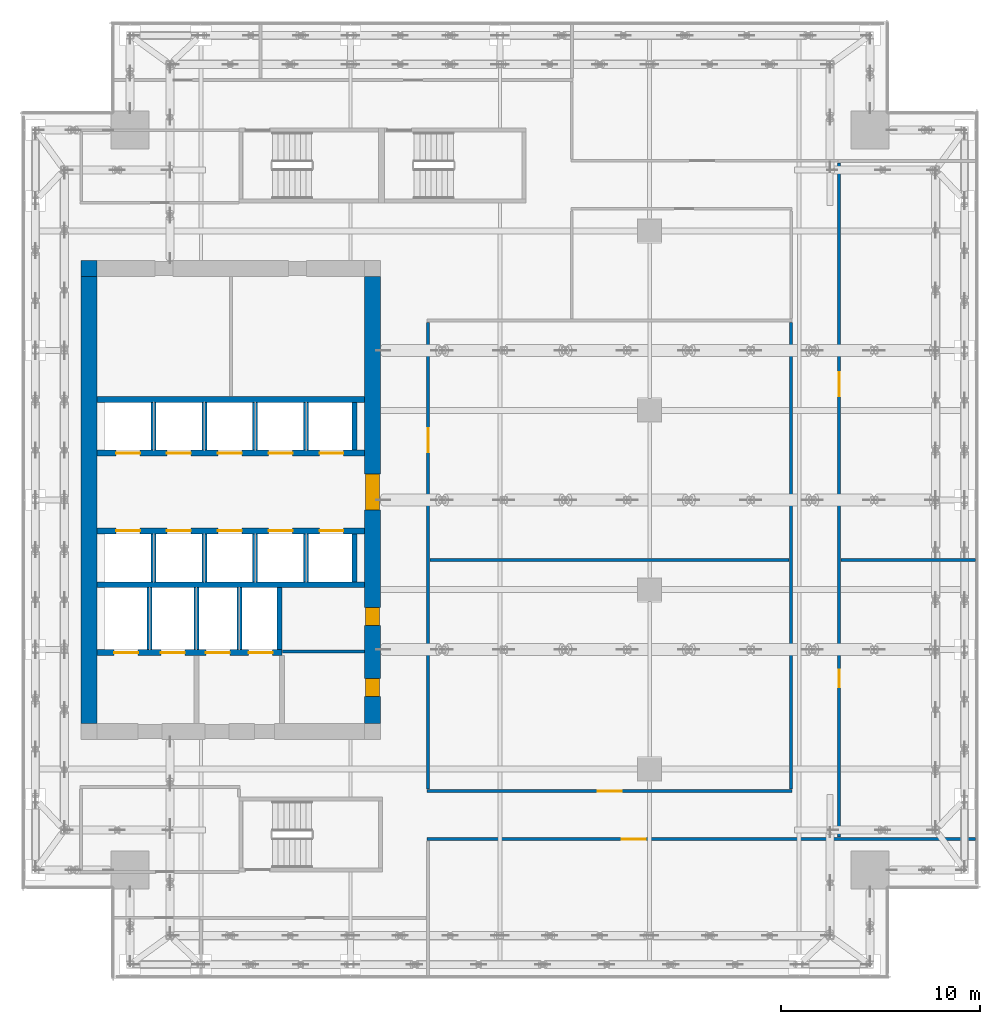
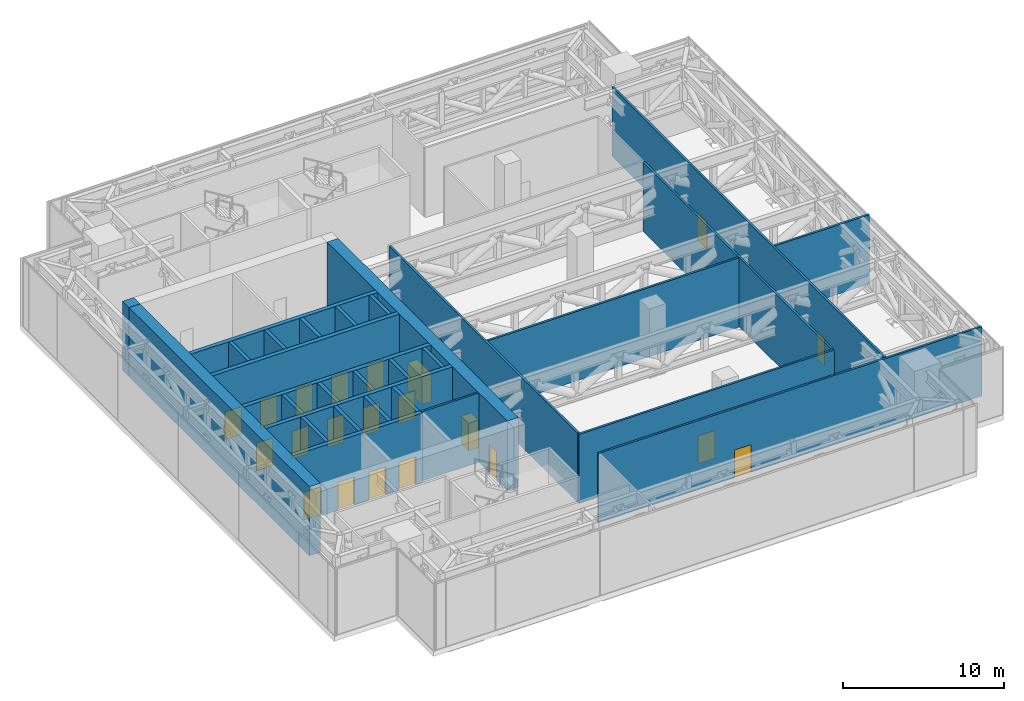
# One storey, part 29 of 36: 30 walls, 22 doors, 22 openings.
"""IFC4 building model written with IfcOpenShell, lengths in metres."""

from ifc_helpers import new_model, si_unit, direction, frame, frame_2d, origin, place, context, subcontext, project, spatial, rectangle, extrude, source, transform, mapped, material, layer, layer_set, type_object, element, fill, save


model = new_model("IFC4")

# Units and contexts
model_context = context("Model", 3, precision=1e-05, world=origin(), true_north=direction((0.0, 1.0)))
body_context = subcontext(model_context, "Body", "Model", "MODEL_VIEW")
ifc_project = project(units=[si_unit("LENGTHUNIT", "METRE"), si_unit("AREAUNIT", "SQUARE_METRE"), si_unit("VOLUMEUNIT", "CUBIC_METRE"), si_unit("PLANEANGLEUNIT", "RADIAN"), si_unit("MASSUNIT", "GRAM", prefix="KILO")], contexts=[model_context])

# Site, building, storey
site_placement = place(None, origin())
site = spatial("IfcSite", under=ifc_project, at=site_placement, CompositionType="ELEMENT")
building_placement = place(site_placement, origin())
building = spatial("IfcBuilding", under=site, at=building_placement, Name="Khomas Fold Tower", CompositionType="ELEMENT")
storey_placement = place(building_placement, frame((0.0, 0.0, 216.699951171875)))
storey = spatial("IfcBuildingStorey", under=building, at=storey_placement, Name="L48", CompositionType="ELEMENT", Elevation=216.699951171875)

# Wall
ifc_material_1 = material(Name="Concrete C60/75", Category="concrete")
ifc_layer_1 = layer(ifc_material_1, 0.800048828125)
ifc_layer_set_1 = layer_set([ifc_layer_1], Name="Concrete C60/75")
wall_type_1 = type_object("IfcWallType", Name="Core corner wall 800", PredefinedType="SHEAR", material=ifc_layer_set_1)
shared_shape_1 = source(origin(), body_context, "Body", "SweptSolid", [
    extrude(rectangle(XDim=0.800048828125, YDim=0.800048828125, at=frame_2d((0.39990234375, 0.0))), origin(), (0.0, 0.0, 1.0), 5.25),
])
wall_1_placement = place(storey_placement, frame((6.0, 38.60009765625, 0.0), z_axis=(0.0, 0.0, 1.0), x_axis=(1.0, 0.0, 0.0)))
element("IfcWall", 1, at=wall_1_placement, inside=storey, type_object=wall_type_1, Name="Core wall CW-U-NW-L35", PredefinedType="SHEAR", context=body_context, shape_type="MappedRepresentation", body=[
    mapped(shared_shape_1, transform((0.0, 0.0, 0.0))),
])

# Wall, openings, doors
ifc_material_2 = material(Name="Concrete C60/75", Category="concrete")
ifc_layer_2 = layer(ifc_material_2, 0.800048828125)
ifc_layer_set_2 = layer_set([ifc_layer_2], Name="Concrete C60/75")
wall_type_2 = type_object("IfcWallType", Name="Core wall 800", PredefinedType="SHEAR", material=ifc_layer_set_2)
shared_shape_2 = source(origin(), body_context, "Body", "SweptSolid", [
    extrude(rectangle(XDim=22.39990234375, YDim=0.800048828125, at=frame_2d((11.199951171875, 0.0))), origin(), (0.0, 0.0, 1.0), 5.25),
])
wall_2_placement = place(storey_placement, frame((20.60009765625, 15.800048828125, 0.0), z_axis=(0.0, 0.0, 1.0), x_axis=(0.0, 1.0, 0.0)))
wall_2 = element("IfcWall", 2, at=wall_2_placement, inside=storey, type_object=wall_type_2, Name="Core wall CW-U-E-L35", PredefinedType="SHEAR", context=body_context, shape_type="MappedRepresentation", body=[
    mapped(shared_shape_2, transform((0.0, 0.0, 0.0))),
])
shared_shape_3 = source(origin(), body_context, "Body", "SweptSolid", [
    extrude(rectangle(XDim=1.800048828125, YDim=2.10009765625, at=frame_2d((0.89990234375, 1.050048828125))), frame((0.0, 0.409912109375, 0.0), z_axis=(0.0, -1.0, 0.0), x_axis=(1.0, 0.0, 0.0)), (0.0, 0.0, 1.0), 0.820068359375),
])
opening_1_placement = place(wall_2_placement, frame((10.699951171875, 0.0, 0.0)))
opening_1 = element("IfcOpeningElement", 3, at=opening_1_placement, cuts=wall_2, Name="Opening 0015", PredefinedType="OPENING", context=body_context, shape_type="MappedRepresentation", body=[
    mapped(shared_shape_3, transform((0.0, 0.0, 0.0))),
])
shared_shape_4 = source(origin(), body_context, "Body", "SweptSolid", [
    extrude(rectangle(XDim=0.89990234375, YDim=2.10009765625, at=frame_2d((0.449951171875, 1.050048828125))), frame((0.0, 0.409912109375, 0.0), z_axis=(0.0, -1.0, 0.0), x_axis=(1.0, 0.0, 0.0)), (0.0, 0.0, 1.0), 0.820068359375),
])
opening_2_placement = place(wall_2_placement, frame((1.35009765625, 0.0, 0.0)))
opening_2 = element("IfcOpeningElement", 4, at=opening_2_placement, cuts=wall_2, Name="Opening 0003", PredefinedType="OPENING", context=body_context, shape_type="MappedRepresentation", body=[
    mapped(shared_shape_4, transform((0.0, 0.0, 0.0))),
])
opening_3_placement = place(wall_2_placement, frame((4.89990234375, 0.0, 0.0)))
opening_3 = element("IfcOpeningElement", 5, at=opening_3_placement, cuts=wall_2, Name="Opening 0003", PredefinedType="OPENING", context=body_context, shape_type="MappedRepresentation", body=[
    mapped(shared_shape_4, transform((0.0, 0.0, 0.0))),
])
ifc_material_3 = material(Name="Steel door leaf", Category="steel")
door_type_1 = type_object("IfcDoorType", Name="Lobby door 1800x2100", OperationType="DOUBLE_DOOR_SINGLE_SWING", PredefinedType="DOOR", material=ifc_material_3)
shared_shape_5 = source(origin(), body_context, "Body", "SweptSolid", [
    extrude(rectangle(XDim=1.800048828125, YDim=2.10009765625, at=frame_2d((0.89990234375, 1.050048828125))), frame((0.0, 0.35009765625, 0.0), z_axis=(0.0, -1.0, 0.0), x_axis=(1.0, 0.0, 0.0)), (0.0, 0.0, 1.0), 0.699951171875),
])
door_1_placement = place(opening_1_placement, origin())
door_1 = element("IfcDoor", 6, at=door_1_placement, inside=storey, type_object=door_type_1, Name="Lobby door", OperationType="DOUBLE_DOOR_SINGLE_SWING", OverallHeight=2.10009765625, OverallWidth=1.800048828125, PredefinedType="DOOR", context=body_context, shape_type="MappedRepresentation", body=[
    mapped(shared_shape_5, transform((0.0, 0.0, 0.0))),
])
fill(opening_1, door_1)
ifc_material_4 = material(Name="Steel door leaf", Category="steel")
door_type_2 = type_object("IfcDoorType", Name="Plant room door 900x2100 right-hand", OperationType="SINGLE_SWING_RIGHT", PredefinedType="DOOR", material=ifc_material_4)
shared_shape_6 = source(origin(), body_context, "Body", "SweptSolid", [
    extrude(rectangle(XDim=0.89990234375, YDim=2.10009765625, at=frame_2d((0.449951171875, 1.050048828125))), frame((0.0, 0.35009765625, 0.0), z_axis=(0.0, -1.0, 0.0), x_axis=(1.0, 0.0, 0.0)), (0.0, 0.0, 1.0), 0.699951171875),
])
door_2_placement = place(opening_2_placement, origin())
door_2 = element("IfcDoor", 7, at=door_2_placement, inside=storey, type_object=door_type_2, Name="Plant room door", OperationType="SINGLE_SWING_RIGHT", OverallHeight=2.10009765625, OverallWidth=0.89990234375, PredefinedType="DOOR", context=body_context, shape_type="MappedRepresentation", body=[
    mapped(shared_shape_6, transform((0.0, 0.0, 0.0))),
])
fill(opening_2, door_2)
door_3_placement = place(opening_3_placement, origin())
door_3 = element("IfcDoor", 8, at=door_3_placement, inside=storey, type_object=door_type_2, Name="Plant room door", OperationType="SINGLE_SWING_RIGHT", OverallHeight=2.10009765625, OverallWidth=0.89990234375, PredefinedType="DOOR", context=body_context, shape_type="MappedRepresentation", body=[
    mapped(shared_shape_6, transform((0.0, 0.0, 0.0))),
])
fill(opening_3, door_3)

# Walls
wall_3_placement = place(storey_placement, frame((6.39990234375, 15.800048828125, 0.0), z_axis=(0.0, 0.0, 1.0), x_axis=(0.0, 1.0, 0.0)))
element("IfcWall", 9, at=wall_3_placement, inside=storey, type_object=wall_type_2, Name="Core wall CW-U-W-L35", PredefinedType="SHEAR", context=body_context, shape_type="MappedRepresentation", body=[
    mapped(shared_shape_2, transform((0.0, 0.0, 0.0))),
])
ifc_material_5 = material(Name="Concrete C50/60", Category="concrete")
ifc_layer_3 = layer(ifc_material_5, 0.300048828125)
ifc_layer_set_3 = layer_set([ifc_layer_3], Name="Concrete C50/60")
wall_type_3 = type_object("IfcWallType", Name="Shaft wall 300", PredefinedType="STANDARD", material=ifc_layer_set_3)
shared_shape_7 = source(origin(), body_context, "Body", "SweptSolid", [
    extrude(rectangle(XDim=13.39990234375, YDim=0.300048828125, at=frame_2d((6.699951171875, 0.0))), origin(), (0.0, 0.0, 1.0), 5.25),
])
for number, where, z_axis, x_axis, name in (
    (10, (6.800048828125, 22.75, 0.0), (0.0, 0.0, 1.0), (1.0, 0.0, 0.0), "Core wall SW-FS-B"),
    (11, (6.800048828125, 32.050048828125, 0.0), (0.0, 0.0, 1.0), (1.0, 0.0, 0.0), "Core wall SW-HRN-B"),
):
    element("IfcWall", number, at=place(storey_placement, frame(where, z_axis=z_axis, x_axis=x_axis)), inside=storey, type_object=wall_type_3, Name=name, PredefinedType="STANDARD", context=body_context, shape_type="MappedRepresentation", body=[
        mapped(shared_shape_7, transform((0.0, 0.0, 0.0))),
    ])

# Wall, openings, doors
wall_4_placement = place(storey_placement, frame((6.800048828125, 29.35009765625, 0.0), z_axis=(0.0, 0.0, 1.0), x_axis=(1.0, 0.0, 0.0)))
wall_4 = element("IfcWall", 12, at=wall_4_placement, inside=storey, type_object=wall_type_3, Name="Core wall SW-HRN-F", PredefinedType="STANDARD", context=body_context, shape_type="MappedRepresentation", body=[
    mapped(shared_shape_7, transform((0.0, 0.0, 0.0))),
])
shared_shape_8 = source(origin(), body_context, "Body", "SweptSolid", [
    extrude(rectangle(XDim=1.199951171875, YDim=2.10009765625, at=frame_2d((0.60009765625, 1.050048828125))), frame((0.0, 0.159912109375, 0.0), z_axis=(0.0, -1.0, 0.0), x_axis=(1.0, 0.0, 0.0)), (0.0, 0.0, 1.0), 0.320068359375),
])
opening_4_placement = place(wall_4_placement, frame((0.949951171875, 0.0, 0.0)))
opening_4 = element("IfcOpeningElement", 13, at=opening_4_placement, cuts=wall_4, Name="Opening LD-HR4", PredefinedType="OPENING", context=body_context, shape_type="MappedRepresentation", body=[
    mapped(shared_shape_8, transform((0.0, 0.0, 0.0))),
])
opening_5_placement = place(wall_4_placement, frame((3.5, 0.0, 0.0)))
opening_5 = element("IfcOpeningElement", 14, at=opening_5_placement, cuts=wall_4, Name="Opening LD-HR5", PredefinedType="OPENING", context=body_context, shape_type="MappedRepresentation", body=[
    mapped(shared_shape_8, transform((0.0, 0.0, 0.0))),
])
opening_6_placement = place(wall_4_placement, frame((6.050048828125, 0.0, 0.0)))
opening_6 = element("IfcOpeningElement", 15, at=opening_6_placement, cuts=wall_4, Name="Opening LD-HR6", PredefinedType="OPENING", context=body_context, shape_type="MappedRepresentation", body=[
    mapped(shared_shape_8, transform((0.0, 0.0, 0.0))),
])
opening_7_placement = place(wall_4_placement, frame((8.60009765625, 0.0, 0.0)))
opening_7 = element("IfcOpeningElement", 16, at=opening_7_placement, cuts=wall_4, Name="Opening LD-MR3", PredefinedType="OPENING", context=body_context, shape_type="MappedRepresentation", body=[
    mapped(shared_shape_8, transform((0.0, 0.0, 0.0))),
])
opening_8_placement = place(wall_4_placement, frame((11.14990234375, 0.0, 0.0)))
opening_8 = element("IfcOpeningElement", 17, at=opening_8_placement, cuts=wall_4, Name="Opening LD-MR4", PredefinedType="OPENING", context=body_context, shape_type="MappedRepresentation", body=[
    mapped(shared_shape_8, transform((0.0, 0.0, 0.0))),
])
ifc_material_6 = material(Name="Steel door leaf", Category="steel")
door_type_3 = type_object("IfcDoorType", Name="Landing door 1200x2100", OperationType="DOUBLE_DOOR_SLIDING", PredefinedType="DOOR", material=ifc_material_6)
shared_shape_9 = source(origin(), body_context, "Body", "SweptSolid", [
    extrude(rectangle(XDim=1.199951171875, YDim=2.10009765625, at=frame_2d((0.60009765625, 1.050048828125))), frame((0.0, 0.02490234375, 0.0), z_axis=(0.0, -1.0, 0.0), x_axis=(1.0, 0.0, 0.0)), (0.0, 0.0, 1.0), 0.050048828125),
])
door_4_placement = place(opening_4_placement, origin())
door_4 = element("IfcDoor", 18, at=door_4_placement, inside=storey, type_object=door_type_3, Name="Lift landing door", OperationType="DOUBLE_DOOR_SLIDING", OverallHeight=2.10009765625, OverallWidth=1.199951171875, PredefinedType="DOOR", context=body_context, shape_type="MappedRepresentation", body=[
    mapped(shared_shape_9, transform((0.0, 0.0, 0.0))),
])
fill(opening_4, door_4)
door_5_placement = place(opening_5_placement, origin())
door_5 = element("IfcDoor", 19, at=door_5_placement, inside=storey, type_object=door_type_3, Name="Lift landing door", OperationType="DOUBLE_DOOR_SLIDING", OverallHeight=2.10009765625, OverallWidth=1.199951171875, PredefinedType="DOOR", context=body_context, shape_type="MappedRepresentation", body=[
    mapped(shared_shape_9, transform((0.0, 0.0, 0.0))),
])
fill(opening_5, door_5)
door_6_placement = place(opening_6_placement, origin())
door_6 = element("IfcDoor", 20, at=door_6_placement, inside=storey, type_object=door_type_3, Name="Lift landing door", OperationType="DOUBLE_DOOR_SLIDING", OverallHeight=2.10009765625, OverallWidth=1.199951171875, PredefinedType="DOOR", context=body_context, shape_type="MappedRepresentation", body=[
    mapped(shared_shape_9, transform((0.0, 0.0, 0.0))),
])
fill(opening_6, door_6)
door_7_placement = place(opening_7_placement, origin())
door_7 = element("IfcDoor", 21, at=door_7_placement, inside=storey, type_object=door_type_3, Name="Lift landing door", OperationType="DOUBLE_DOOR_SLIDING", OverallHeight=2.10009765625, OverallWidth=1.199951171875, PredefinedType="DOOR", context=body_context, shape_type="MappedRepresentation", body=[
    mapped(shared_shape_9, transform((0.0, 0.0, 0.0))),
])
fill(opening_7, door_7)
door_8_placement = place(opening_8_placement, origin())
door_8 = element("IfcDoor", 22, at=door_8_placement, inside=storey, type_object=door_type_3, Name="Lift landing door", OperationType="DOUBLE_DOOR_SLIDING", OverallHeight=2.10009765625, OverallWidth=1.199951171875, PredefinedType="DOOR", context=body_context, shape_type="MappedRepresentation", body=[
    mapped(shared_shape_9, transform((0.0, 0.0, 0.0))),
])
fill(opening_8, door_8)

wall_5_placement = place(storey_placement, frame((6.800048828125, 25.449951171875, 0.0), z_axis=(0.0, 0.0, 1.0), x_axis=(1.0, 0.0, 0.0)))
wall_5 = element("IfcWall", 23, at=wall_5_placement, inside=storey, type_object=wall_type_3, Name="Core wall SW-HRS-F", PredefinedType="STANDARD", context=body_context, shape_type="MappedRepresentation", body=[
    mapped(shared_shape_7, transform((0.0, 0.0, 0.0))),
])
opening_9_placement = place(wall_5_placement, frame((0.949951171875, 0.0, 0.0)))
opening_9 = element("IfcOpeningElement", 24, at=opening_9_placement, cuts=wall_5, Name="Opening LD-HR1", PredefinedType="OPENING", context=body_context, shape_type="MappedRepresentation", body=[
    mapped(shared_shape_8, transform((0.0, 0.0, 0.0))),
])
opening_10_placement = place(wall_5_placement, frame((3.5, 0.0, 0.0)))
opening_10 = element("IfcOpeningElement", 25, at=opening_10_placement, cuts=wall_5, Name="Opening LD-HR2", PredefinedType="OPENING", context=body_context, shape_type="MappedRepresentation", body=[
    mapped(shared_shape_8, transform((0.0, 0.0, 0.0))),
])
opening_11_placement = place(wall_5_placement, frame((6.050048828125, 0.0, 0.0)))
opening_11 = element("IfcOpeningElement", 26, at=opening_11_placement, cuts=wall_5, Name="Opening LD-HR3", PredefinedType="OPENING", context=body_context, shape_type="MappedRepresentation", body=[
    mapped(shared_shape_8, transform((0.0, 0.0, 0.0))),
])
opening_12_placement = place(wall_5_placement, frame((8.60009765625, 0.0, 0.0)))
opening_12 = element("IfcOpeningElement", 27, at=opening_12_placement, cuts=wall_5, Name="Opening LD-MR1", PredefinedType="OPENING", context=body_context, shape_type="MappedRepresentation", body=[
    mapped(shared_shape_8, transform((0.0, 0.0, 0.0))),
])
opening_13_placement = place(wall_5_placement, frame((11.14990234375, 0.0, 0.0)))
opening_13 = element("IfcOpeningElement", 28, at=opening_13_placement, cuts=wall_5, Name="Opening LD-MR2", PredefinedType="OPENING", context=body_context, shape_type="MappedRepresentation", body=[
    mapped(shared_shape_8, transform((0.0, 0.0, 0.0))),
])
door_9_placement = place(opening_9_placement, origin())
door_9 = element("IfcDoor", 29, at=door_9_placement, inside=storey, type_object=door_type_3, Name="Lift landing door", OperationType="DOUBLE_DOOR_SLIDING", OverallHeight=2.10009765625, OverallWidth=1.199951171875, PredefinedType="DOOR", context=body_context, shape_type="MappedRepresentation", body=[
    mapped(shared_shape_9, transform((0.0, 0.0, 0.0))),
])
fill(opening_9, door_9)
door_10_placement = place(opening_10_placement, origin())
door_10 = element("IfcDoor", 30, at=door_10_placement, inside=storey, type_object=door_type_3, Name="Lift landing door", OperationType="DOUBLE_DOOR_SLIDING", OverallHeight=2.10009765625, OverallWidth=1.199951171875, PredefinedType="DOOR", context=body_context, shape_type="MappedRepresentation", body=[
    mapped(shared_shape_9, transform((0.0, 0.0, 0.0))),
])
fill(opening_10, door_10)
door_11_placement = place(opening_11_placement, origin())
door_11 = element("IfcDoor", 31, at=door_11_placement, inside=storey, type_object=door_type_3, Name="Lift landing door", OperationType="DOUBLE_DOOR_SLIDING", OverallHeight=2.10009765625, OverallWidth=1.199951171875, PredefinedType="DOOR", context=body_context, shape_type="MappedRepresentation", body=[
    mapped(shared_shape_9, transform((0.0, 0.0, 0.0))),
])
fill(opening_11, door_11)
door_12_placement = place(opening_12_placement, origin())
door_12 = element("IfcDoor", 32, at=door_12_placement, inside=storey, type_object=door_type_3, Name="Lift landing door", OperationType="DOUBLE_DOOR_SLIDING", OverallHeight=2.10009765625, OverallWidth=1.199951171875, PredefinedType="DOOR", context=body_context, shape_type="MappedRepresentation", body=[
    mapped(shared_shape_9, transform((0.0, 0.0, 0.0))),
])
fill(opening_12, door_12)
door_13_placement = place(opening_13_placement, origin())
door_13 = element("IfcDoor", 33, at=door_13_placement, inside=storey, type_object=door_type_3, Name="Lift landing door", OperationType="DOUBLE_DOOR_SLIDING", OverallHeight=2.10009765625, OverallWidth=1.199951171875, PredefinedType="DOOR", context=body_context, shape_type="MappedRepresentation", body=[
    mapped(shared_shape_9, transform((0.0, 0.0, 0.0))),
])
fill(opening_13, door_13)

shared_shape_10 = source(origin(), body_context, "Body", "SweptSolid", [
    extrude(rectangle(XDim=9.27490234375, YDim=0.300048828125, at=frame_2d((4.637451171875, 0.0))), origin(), (0.0, 0.0, 1.0), 5.25),
])
wall_6_placement = place(storey_placement, frame((6.800048828125, 19.35009765625, 0.0), z_axis=(0.0, 0.0, 1.0), x_axis=(1.0, 0.0, 0.0)))
wall_6 = element("IfcWall", 34, at=wall_6_placement, inside=storey, type_object=wall_type_3, Name="Core wall SW-FS-F", PredefinedType="STANDARD", context=body_context, shape_type="MappedRepresentation", body=[
    mapped(shared_shape_10, transform((0.0, 0.0, 0.0))),
])
opening_14_placement = place(wall_6_placement, frame((0.85009765625, 0.0, 0.0)))
opening_14 = element("IfcOpeningElement", 35, at=opening_14_placement, cuts=wall_6, Name="Opening LD-SV1", PredefinedType="OPENING", context=body_context, shape_type="MappedRepresentation", body=[
    mapped(shared_shape_8, transform((0.0, 0.0, 0.0))),
])
opening_15_placement = place(wall_6_placement, frame((3.199951171875, 0.0, 0.0)))
opening_15 = element("IfcOpeningElement", 36, at=opening_15_placement, cuts=wall_6, Name="Opening LD-SV2", PredefinedType="OPENING", context=body_context, shape_type="MappedRepresentation", body=[
    mapped(shared_shape_8, transform((0.0, 0.0, 0.0))),
])
opening_16_placement = place(wall_6_placement, frame((5.449951171875, 0.0, 0.0)))
opening_16 = element("IfcOpeningElement", 37, at=opening_16_placement, cuts=wall_6, Name="Opening LD-FF1", PredefinedType="OPENING", context=body_context, shape_type="MappedRepresentation", body=[
    mapped(shared_shape_8, transform((0.0, 0.0, 0.0))),
])
opening_17_placement = place(wall_6_placement, frame((7.60009765625, 0.0, 0.0)))
opening_17 = element("IfcOpeningElement", 38, at=opening_17_placement, cuts=wall_6, Name="Opening LD-FF2", PredefinedType="OPENING", context=body_context, shape_type="MappedRepresentation", body=[
    mapped(shared_shape_8, transform((0.0, 0.0, 0.0))),
])
door_14_placement = place(opening_14_placement, origin())
door_14 = element("IfcDoor", 39, at=door_14_placement, inside=storey, type_object=door_type_3, Name="Lift landing door", OperationType="DOUBLE_DOOR_SLIDING", OverallHeight=2.10009765625, OverallWidth=1.199951171875, PredefinedType="DOOR", context=body_context, shape_type="MappedRepresentation", body=[
    mapped(shared_shape_9, transform((0.0, 0.0, 0.0))),
])
fill(opening_14, door_14)
door_15_placement = place(opening_15_placement, origin())
door_15 = element("IfcDoor", 40, at=door_15_placement, inside=storey, type_object=door_type_3, Name="Lift landing door", OperationType="DOUBLE_DOOR_SLIDING", OverallHeight=2.10009765625, OverallWidth=1.199951171875, PredefinedType="DOOR", context=body_context, shape_type="MappedRepresentation", body=[
    mapped(shared_shape_9, transform((0.0, 0.0, 0.0))),
])
fill(opening_15, door_15)
door_16_placement = place(opening_16_placement, origin())
door_16 = element("IfcDoor", 41, at=door_16_placement, inside=storey, type_object=door_type_3, Name="Lift landing door", OperationType="DOUBLE_DOOR_SLIDING", OverallHeight=2.10009765625, OverallWidth=1.199951171875, PredefinedType="DOOR", context=body_context, shape_type="MappedRepresentation", body=[
    mapped(shared_shape_9, transform((0.0, 0.0, 0.0))),
])
fill(opening_16, door_16)
door_17_placement = place(opening_17_placement, origin())
door_17 = element("IfcDoor", 42, at=door_17_placement, inside=storey, type_object=door_type_3, Name="Lift landing door", OperationType="DOUBLE_DOOR_SLIDING", OverallHeight=2.10009765625, OverallWidth=1.199951171875, PredefinedType="DOOR", context=body_context, shape_type="MappedRepresentation", body=[
    mapped(shared_shape_9, transform((0.0, 0.0, 0.0))),
])
fill(opening_17, door_17)

# Walls
ifc_material_7 = material(Name="Concrete C50/60", Category="concrete")
ifc_layer_4 = layer(ifc_material_7, 0.25)
ifc_layer_set_4 = layer_set([ifc_layer_4], Name="Concrete C50/60")
wall_type_4 = type_object("IfcWallType", Name="Shaft wall 250", PredefinedType="STANDARD", material=ifc_layer_set_4)
shared_shape_11 = source(origin(), body_context, "Body", "SweptSolid", [
    extrude(rectangle(XDim=3.10009765625, YDim=0.25, at=frame_2d((1.550048828125, 0.0))), origin(), (0.0, 0.0, 1.0), 5.25),
])
for number, where, z_axis, x_axis, name in (
    (43, (9.425048828125, 19.5, 0.0), (0.0, 0.0, 1.0), (0.0, 1.0, 0.0), "Core wall SW-FS-P1"),
    (44, (11.77490234375, 19.5, 0.0), (0.0, 0.0, 1.0), (0.0, 1.0, 0.0), "Core wall SW-FS-P2"),
    (45, (13.925048828125, 19.5, 0.0), (0.0, 0.0, 1.0), (0.0, 1.0, 0.0), "Core wall SW-FS-P3"),
    (46, (15.949951171875, 19.5, 0.0), (0.0, 0.0, 1.0), (0.0, 1.0, 0.0), "Core wall SW-FS-PE"),
):
    element("IfcWall", number, at=place(storey_placement, frame(where, z_axis=z_axis, x_axis=x_axis)), inside=storey, type_object=wall_type_4, Name=name, PredefinedType="STANDARD", context=body_context, shape_type="MappedRepresentation", body=[
        mapped(shared_shape_11, transform((0.0, 0.0, 0.0))),
    ])
shared_shape_12 = source(origin(), body_context, "Body", "SweptSolid", [
    extrude(rectangle(XDim=2.39990234375, YDim=0.25, at=frame_2d((1.199951171875, 0.0))), origin(), (0.0, 0.0, 1.0), 5.25),
])
for number, where, z_axis, x_axis, name in (
    (47, (17.27490234375, 29.5, 0.0), (0.0, 0.0, 1.0), (0.0, 1.0, 0.0), "Core wall SW-HRN-MR-P1"),
    (48, (19.699951171875, 29.5, 0.0), (0.0, 0.0, 1.0), (0.0, 1.0, 0.0), "Core wall SW-HRN-MR-PE"),
    (49, (9.625, 29.5, 0.0), (0.0, 0.0, 1.0), (0.0, 1.0, 0.0), "Core wall SW-HRN-P1"),
    (50, (12.175048828125, 29.5, 0.0), (0.0, 0.0, 1.0), (0.0, 1.0, 0.0), "Core wall SW-HRN-P2"),
    (51, (14.72509765625, 29.5, 0.0), (0.0, 0.0, 1.0), (0.0, 1.0, 0.0), "Core wall SW-HRN-PE"),
):
    element("IfcWall", number, at=place(storey_placement, frame(where, z_axis=z_axis, x_axis=x_axis)), inside=storey, type_object=wall_type_4, Name=name, PredefinedType="STANDARD", context=body_context, shape_type="MappedRepresentation", body=[
        mapped(shared_shape_12, transform((0.0, 0.0, 0.0))),
    ])
shared_shape_13 = source(origin(), body_context, "Body", "SweptSolid", [
    extrude(rectangle(XDim=2.400146484375, YDim=0.25, at=frame_2d((1.2001953125, 0.0))), origin(), (0.0, 0.0, 1.0), 5.25),
])
for number, where, z_axis, x_axis, name in (
    (52, (17.27490234375, 22.89990234375, 0.0), (0.0, 0.0, 1.0), (0.0, 1.0, 0.0), "Core wall SW-HRS-MR-P1"),
    (53, (19.699951171875, 22.89990234375, 0.0), (0.0, 0.0, 1.0), (0.0, 1.0, 0.0), "Core wall SW-HRS-MR-PE"),
    (54, (9.625, 22.89990234375, 0.0), (0.0, 0.0, 1.0), (0.0, 1.0, 0.0), "Core wall SW-HRS-P1"),
    (55, (12.175048828125, 22.89990234375, 0.0), (0.0, 0.0, 1.0), (0.0, 1.0, 0.0), "Core wall SW-HRS-P2"),
    (56, (14.72509765625, 22.89990234375, 0.0), (0.0, 0.0, 1.0), (0.0, 1.0, 0.0), "Core wall SW-HRS-PE"),
):
    element("IfcWall", number, at=place(storey_placement, frame(where, z_axis=z_axis, x_axis=x_axis)), inside=storey, type_object=wall_type_4, Name=name, PredefinedType="STANDARD", context=body_context, shape_type="MappedRepresentation", body=[
        mapped(shared_shape_13, transform((0.0, 0.0, 0.0))),
    ])
ifc_material_8 = material(Name="Plasterboard fire partition")
ifc_layer_5 = layer(ifc_material_8, 0.14990234375)
ifc_layer_set_5 = layer_set([ifc_layer_5], Name="Plasterboard fire partition")
wall_type_5 = type_object("IfcWallType", Name="Plant room wall PW3 150", PredefinedType="PARTITIONING", material=ifc_layer_set_5)
shared_shape_14 = source(origin(), body_context, "Body", "SweptSolid", [
    extrude(rectangle(XDim=6.75, YDim=0.14990234375, at=frame_2d((3.375, 0.0))), origin(), (0.0, 0.0, 1.0), 5.25),
])
wall_7_placement = place(storey_placement, frame((44.10009765625, 24.0, 0.0), z_axis=(0.0, 0.0, 1.0), x_axis=(1.0, 0.0, 0.0)))
element("IfcWall", 57, at=wall_7_placement, inside=storey, type_object=wall_type_5, Name="Plant room wall", PredefinedType="PARTITIONING", context=body_context, shape_type="MappedRepresentation", body=[
    mapped(shared_shape_14, transform((0.0, 0.0, 0.0))),
])

# Wall, opening, door
shared_shape_15 = source(origin(), body_context, "Body", "SweptSolid", [
    extrude(rectangle(XDim=27.5, YDim=0.14990234375, at=frame_2d((13.75, 0.0))), origin(), (0.0, 0.0, 1.0), 5.25),
])
wall_8_placement = place(storey_placement, frame((23.35009765625, 10.0, 0.0), z_axis=(0.0, 0.0, 1.0), x_axis=(1.0, 0.0, 0.0)))
wall_8 = element("IfcWall", 58, at=wall_8_placement, inside=storey, type_object=wall_type_5, Name="Plant room wall", PredefinedType="PARTITIONING", context=body_context, shape_type="MappedRepresentation", body=[
    mapped(shared_shape_15, transform((0.0, 0.0, 0.0))),
])
shared_shape_16 = source(origin(), body_context, "Body", "SweptSolid", [
    extrude(rectangle(XDim=1.199951171875, YDim=2.10009765625, at=frame_2d((0.60009765625, 1.050048828125))), frame((0.0, 0.0849609375, 0.0), z_axis=(0.0, -1.0, 0.0), x_axis=(1.0, 0.0, 0.0)), (0.0, 0.0, 1.0), 0.169921875),
])
opening_18_placement = place(wall_8_placement, frame((9.75, 0.0, 0.0)))
opening_18 = element("IfcOpeningElement", 59, at=opening_18_placement, cuts=wall_8, Name="Opening 0011", PredefinedType="OPENING", context=body_context, shape_type="MappedRepresentation", body=[
    mapped(shared_shape_16, transform((0.0, 0.0, 0.0))),
])
ifc_material_9 = material(Name="Steel door leaf", Category="steel")
door_type_4 = type_object("IfcDoorType", Name="Plant room door 1200x2100 right-hand", OperationType="SINGLE_SWING_RIGHT", PredefinedType="DOOR", material=ifc_material_9)
door_18_placement = place(opening_18_placement, origin())
door_18 = element("IfcDoor", 60, at=door_18_placement, inside=storey, type_object=door_type_4, Name="Plant room door", OperationType="SINGLE_SWING_RIGHT", OverallHeight=2.10009765625, OverallWidth=1.199951171875, PredefinedType="DOOR", context=body_context, shape_type="MappedRepresentation", body=[
    mapped(shared_shape_9, transform((0.0, 0.0, 0.0))),
])
fill(opening_18, door_18)

# Wall, openings, doors
shared_shape_17 = source(origin(), body_context, "Body", "SweptSolid", [
    extrude(rectangle(XDim=33.7998046875, YDim=0.14990234375, at=frame_2d((16.89990234375, 0.0))), origin(), (0.0, 0.0, 1.0), 5.25),
])
wall_9_placement = place(storey_placement, frame((44.0, 10.10009765625, 0.0), z_axis=(0.0, 0.0, 1.0), x_axis=(0.0, 1.0, 0.0)))
wall_9 = element("IfcWall", 61, at=wall_9_placement, inside=storey, type_object=wall_type_5, Name="Plant room wall", PredefinedType="PARTITIONING", context=body_context, shape_type="MappedRepresentation", body=[
    mapped(shared_shape_17, transform((0.0, 0.0, 0.0))),
])
shared_shape_18 = source(origin(), body_context, "Body", "SweptSolid", [
    extrude(rectangle(XDim=0.89990234375, YDim=2.10009765625, at=frame_2d((0.449951171875, 1.050048828125))), frame((0.0, 0.0849609375, 0.0), z_axis=(0.0, -1.0, 0.0), x_axis=(1.0, 0.0, 0.0)), (0.0, 0.0, 1.0), 0.169921875),
])
opening_19_placement = place(wall_9_placement, frame((7.5, 0.0, 0.0)))
opening_19 = element("IfcOpeningElement", 62, at=opening_19_placement, cuts=wall_9, Name="Opening 0002", PredefinedType="OPENING", context=body_context, shape_type="MappedRepresentation", body=[
    mapped(shared_shape_18, transform((0.0, 0.0, 0.0))),
])
opening_20_placement = place(wall_9_placement, frame((22.10009765625, 0.0, 0.0)))
opening_20 = element("IfcOpeningElement", 63, at=opening_20_placement, cuts=wall_9, Name="Opening 0011", PredefinedType="OPENING", context=body_context, shape_type="MappedRepresentation", body=[
    mapped(shared_shape_16, transform((0.0, 0.0, 0.0))),
])
ifc_material_10 = material(Name="Steel door leaf", Category="steel")
door_type_5 = type_object("IfcDoorType", Name="Plant room door 900x2100 left-hand", OperationType="SINGLE_SWING_LEFT", PredefinedType="DOOR", material=ifc_material_10)
shared_shape_19 = source(origin(), body_context, "Body", "SweptSolid", [
    extrude(rectangle(XDim=0.89990234375, YDim=2.10009765625, at=frame_2d((0.449951171875, 1.050048828125))), frame((0.0, 0.02490234375, 0.0), z_axis=(0.0, -1.0, 0.0), x_axis=(1.0, 0.0, 0.0)), (0.0, 0.0, 1.0), 0.050048828125),
])
door_19_placement = place(opening_19_placement, origin())
door_19 = element("IfcDoor", 64, at=door_19_placement, inside=storey, type_object=door_type_5, Name="Plant room door", OperationType="SINGLE_SWING_LEFT", OverallHeight=2.10009765625, OverallWidth=0.89990234375, PredefinedType="DOOR", context=body_context, shape_type="MappedRepresentation", body=[
    mapped(shared_shape_19, transform((0.0, 0.0, 0.0))),
])
fill(opening_19, door_19)
door_20_placement = place(opening_20_placement, origin())
door_20 = element("IfcDoor", 65, at=door_20_placement, inside=storey, type_object=door_type_4, Name="Plant room door", OperationType="SINGLE_SWING_RIGHT", OverallHeight=2.10009765625, OverallWidth=1.199951171875, PredefinedType="DOOR", context=body_context, shape_type="MappedRepresentation", body=[
    mapped(shared_shape_9, transform((0.0, 0.0, 0.0))),
])
fill(opening_20, door_20)

# Wall, opening, door
shared_shape_20 = source(origin(), body_context, "Body", "SweptSolid", [
    extrude(rectangle(XDim=18.2998046875, YDim=0.14990234375, at=frame_2d((9.14990234375, 0.0))), origin(), (0.0, 0.0, 1.0), 5.25),
])
wall_10_placement = place(storey_placement, frame((23.35009765625, 12.39990234375, 0.0), z_axis=(0.0, 0.0, 1.0), x_axis=(1.0, 0.0, 0.0)))
wall_10 = element("IfcWall", 66, at=wall_10_placement, inside=storey, type_object=wall_type_5, Name="Plant room wall", PredefinedType="PARTITIONING", context=body_context, shape_type="MappedRepresentation", body=[
    mapped(shared_shape_20, transform((0.0, 0.0, 0.0))),
])
opening_21_placement = place(wall_10_placement, frame((8.550048828125, 0.0, 0.0)))
opening_21 = element("IfcOpeningElement", 67, at=opening_21_placement, cuts=wall_10, Name="Opening 0011", PredefinedType="OPENING", context=body_context, shape_type="MappedRepresentation", body=[
    mapped(shared_shape_16, transform((0.0, 0.0, 0.0))),
])
door_21_placement = place(opening_21_placement, origin())
door_21 = element("IfcDoor", 68, at=door_21_placement, inside=storey, type_object=door_type_4, Name="Plant room door", OperationType="SINGLE_SWING_RIGHT", OverallHeight=2.10009765625, OverallWidth=1.199951171875, PredefinedType="DOOR", context=body_context, shape_type="MappedRepresentation", body=[
    mapped(shared_shape_9, transform((0.0, 0.0, 0.0))),
])
fill(opening_21, door_21)

shared_shape_21 = source(origin(), body_context, "Body", "SweptSolid", [
    extrude(rectangle(XDim=23.39990234375, YDim=0.14990234375, at=frame_2d((11.699951171875, 0.0))), origin(), (0.0, 0.0, 1.0), 5.25),
])
wall_11_placement = place(storey_placement, frame((23.39990234375, 12.5, 0.0), z_axis=(0.0, 0.0, 1.0), x_axis=(0.0, 1.0, 0.0)))
wall_11 = element("IfcWall", 69, at=wall_11_placement, inside=storey, type_object=wall_type_5, Name="Plant room wall", PredefinedType="PARTITIONING", context=body_context, shape_type="MappedRepresentation", body=[
    mapped(shared_shape_21, transform((0.0, 0.0, 0.0))),
])
opening_22_placement = place(wall_11_placement, frame((16.89990234375, 0.0, 0.0)))
opening_22 = element("IfcOpeningElement", 70, at=opening_22_placement, cuts=wall_11, Name="Opening 0011", PredefinedType="OPENING", context=body_context, shape_type="MappedRepresentation", body=[
    mapped(shared_shape_16, transform((0.0, 0.0, 0.0))),
])
door_22_placement = place(opening_22_placement, origin())
door_22 = element("IfcDoor", 71, at=door_22_placement, inside=storey, type_object=door_type_4, Name="Plant room door", OperationType="SINGLE_SWING_RIGHT", OverallHeight=2.10009765625, OverallWidth=1.199951171875, PredefinedType="DOOR", context=body_context, shape_type="MappedRepresentation", body=[
    mapped(shared_shape_9, transform((0.0, 0.0, 0.0))),
])
fill(opening_22, door_22)

# Walls
wall_12_placement = place(storey_placement, frame((41.60009765625, 12.5, 0.0), z_axis=(0.0, 0.0, 1.0), x_axis=(0.0, 1.0, 0.0)))
element("IfcWall", 72, at=wall_12_placement, inside=storey, type_object=wall_type_5, Name="Plant room wall", PredefinedType="PARTITIONING", context=body_context, shape_type="MappedRepresentation", body=[
    mapped(shared_shape_21, transform((0.0, 0.0, 0.0))),
])
shared_shape_22 = source(origin(), body_context, "Body", "SweptSolid", [
    extrude(rectangle(XDim=4.099853515625, YDim=0.14990234375, at=frame_2d((2.0498046875, 0.0))), origin(), (0.0, 0.0, 1.0), 5.25),
])
wall_13_placement = place(storey_placement, frame((16.10009765625, 19.39990234375, 0.0), z_axis=(0.0, 0.0, 1.0), x_axis=(1.0, 0.0, 0.0)))
element("IfcWall", 73, at=wall_13_placement, inside=storey, type_object=wall_type_5, Name="Plant room wall", PredefinedType="PARTITIONING", context=body_context, shape_type="MappedRepresentation", body=[
    mapped(shared_shape_22, transform((0.0, 0.0, 0.0))),
])
shared_shape_23 = source(origin(), body_context, "Body", "SweptSolid", [
    extrude(rectangle(XDim=18.0, YDim=0.14990234375, at=frame_2d((9.0, 0.0))), origin(), (0.0, 0.0, 1.0), 5.25),
])
wall_14_placement = place(storey_placement, frame((23.5, 24.0, 0.0), z_axis=(0.0, 0.0, 1.0), x_axis=(1.0, 0.0, 0.0)))
element("IfcWall", 74, at=wall_14_placement, inside=storey, type_object=wall_type_5, Name="Plant room wall", PredefinedType="PARTITIONING", context=body_context, shape_type="MappedRepresentation", body=[
    mapped(shared_shape_23, transform((0.0, 0.0, 0.0))),
])

save(model, "model.ifc")
